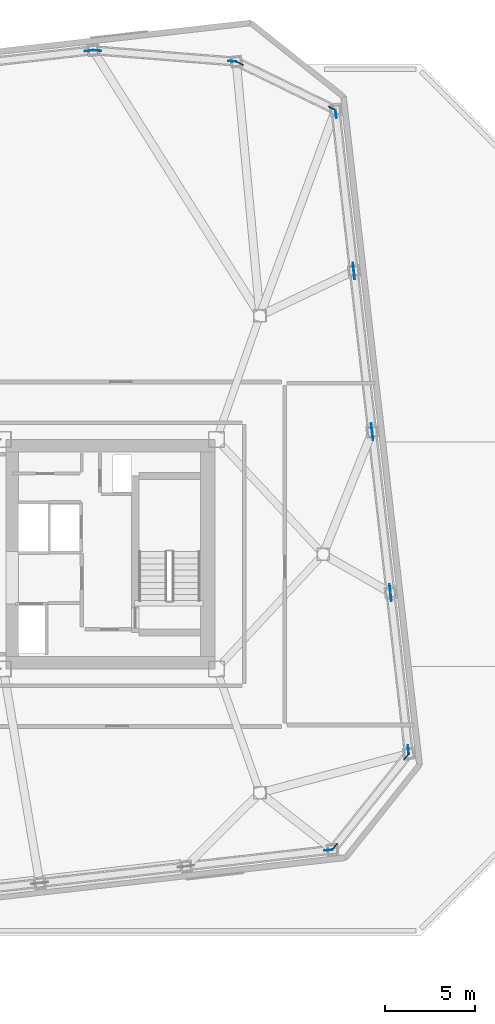
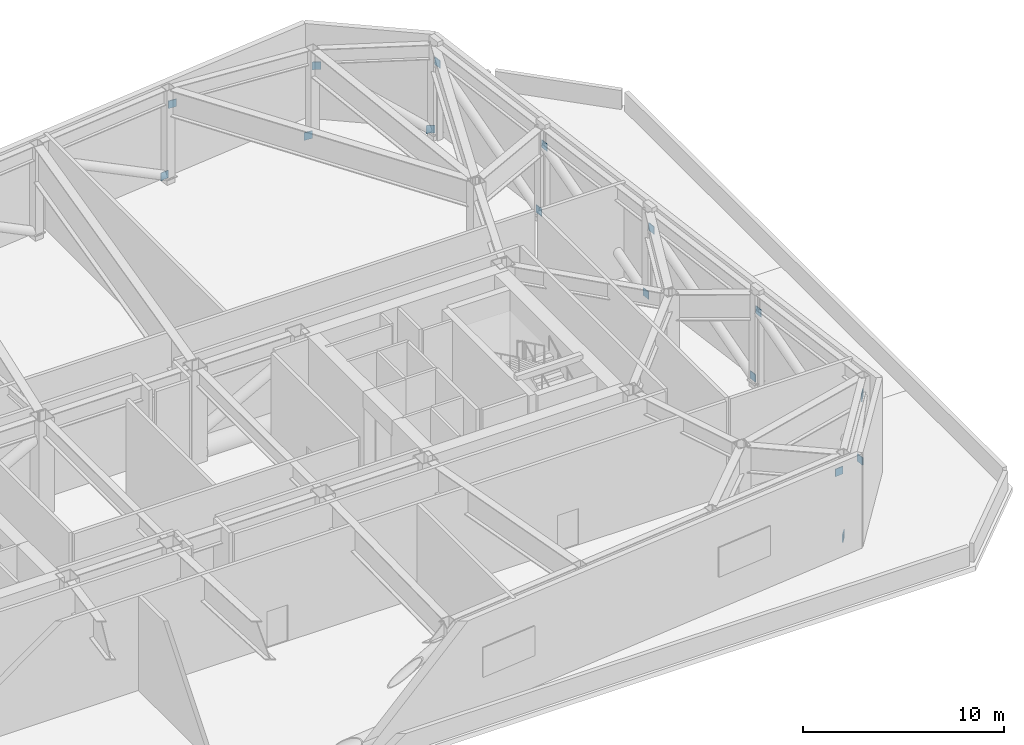
# One storey, part 12 of 13: 16 discrete accessories.
"""IFC4 building model written with IfcOpenShell, lengths in metres."""

from ifc_helpers import new_model, si_unit, direction, frame, origin, origin_2d, place, context, subcontext, project, spatial, rectangle, extrude, material, type_object, element, save


model = new_model("IFC4")

# Units and contexts
model_context = context("Model", 3, precision=1e-05, world=origin(), true_north=direction((0.0, 1.0)))
body_context = subcontext(model_context, "Body", "Model", "MODEL_VIEW")
ifc_project = project(units=[si_unit("LENGTHUNIT", "METRE"), si_unit("AREAUNIT", "SQUARE_METRE"), si_unit("VOLUMEUNIT", "CUBIC_METRE"), si_unit("PLANEANGLEUNIT", "RADIAN"), si_unit("MASSUNIT", "GRAM", prefix="KILO")], contexts=[model_context])

# Site, building, storey
site_placement = place(None, origin())
site = spatial("IfcSite", under=ifc_project, at=site_placement, CompositionType="ELEMENT")
building_placement = place(site_placement, origin())
building = spatial("IfcBuilding", under=site, at=building_placement, Name="Tavrogorsk Clinical Tower", CompositionType="ELEMENT")
storey_placement = place(building_placement, frame((0.0, 0.0, 208.199951171875)))
storey = spatial("IfcBuildingStorey", under=building, at=storey_placement, Name="L48", CompositionType="ELEMENT", Elevation=208.199951171875)

# Discrete accessories
ifc_material = material(Name="Structural steel S440", Category="steel")
discrete_accessory_type = type_object("IfcDiscreteAccessoryType", Name="GussetPlateBracket_25", PredefinedType="BRACKET", material=ifc_material)
for number, where, z_axis, x_axis, name in (
    (1, (28.283447265625, -16.37109375, 4.4365234375), (0.0, 0.0, 1.0), (0.993571855677, 0.113203213768, 0.0), "L48 Brace Gusset Plate EXOBELT-L48-07-B"),
    (2, (28.64306640625, -16.176513671875, 0.26123046875), (0.0, 0.0, 1.0), (0.622514636638, 0.782608156852, 0.0), "L48 Brace Gusset Plate EXOBELT-L48-08-A"),
    (3, (32.60009765625, -11.201904296875, 4.4189453125), (0.0, 0.0, 1.0), (0.622514636638, 0.782608156852, 0.0), "L48 Brace Gusset Plate EXOBELT-L48-08-B"),
    (4, (32.708251953125, -10.80322265625, 0.234619140625), (0.0, 0.0, 1.0), (-0.113203213768, 0.993571855677, 0.0), "L48 Brace Gusset Plate EXOBELT-L48-09-A"),
    (5, (31.746337890625, -2.360107421875, 4.445556640625), (0.0, 0.0, 1.0), (-0.113203213768, 0.993571855677, 0.0), "L48 Brace Gusset Plate EXOBELT-L48-09-B"),
    (6, (31.69384765625, -1.90087890625, 0.234619140625), (0.0, 0.0, 1.0), (-0.113203213768, 0.993571855677, 0.0), "L48 Brace Gusset Plate EXOBELT-L48-10-A"),
    (7, (30.73193359375, 6.542236328125, 4.445556640625), (0.0, 0.0, 1.0), (-0.113203213768, 0.993571855677, 0.0), "L48 Brace Gusset Plate EXOBELT-L48-10-B"),
    (8, (30.6796875, 7.001708984375, 0.234619140625), (0.0, 0.0, 1.0), (-0.113203213768, 0.993571855677, 0.0), "L48 Brace Gusset Plate EXOBELT-L48-11-A"),
    (9, (29.7177734375, 15.444580078125, 4.445556640625), (0.0, 0.0, 1.0), (-0.113203213768, 0.993571855677, 0.0), "L48 Brace Gusset Plate EXOBELT-L48-11-B"),
    (10, (29.665283203125, 15.904052734375, 0.234619140625), (0.0, 0.0, 1.0), (-0.113203213768, 0.993571855677, 0.0), "L48 Brace Gusset Plate EXOBELT-L48-12-A"),
    (11, (28.703369140625, 24.346923828125, 4.445556640625), (0.0, 0.0, 1.0), (-0.113203213768, 0.993571855677, 0.0), "L48 Brace Gusset Plate EXOBELT-L48-12-B"),
    (12, (28.48974609375, 24.668212890625, 0.271728515625), (0.0, 0.0, 1.0), (-0.898794046299, 0.438371146789, 0.0), "L48 Brace Gusset Plate EXOBELT-L48-13-A"),
    (13, (23.375732421875, 27.161865234375, 4.408447265625), (0.0, 0.0, 1.0), (-0.898794046299, 0.438371146789, 0.0), "L48 Brace Gusset Plate EXOBELT-L48-13-B"),
    (14, (22.963623046875, 27.271240234375, 0.245849609375), (0.0, 0.0, 1.0), (-0.996889885607, 0.078807080738, 0.0), "L48 Brace Gusset Plate EXOBELT-L48-14-A"),
    (15, (15.492919921875, 27.8623046875, 4.43408203125), (0.0, 0.0, 1.0), (-0.996889885607, 0.078807080738, 0.0), "L48 Brace Gusset Plate EXOBELT-L48-14-B"),
    (16, (15.04345703125, 27.8544921875, 0.243408203125), (0.0, 0.0, 1.0), (-0.993571855677, -0.113203213768, 0.0), "L48 Brace Gusset Plate EXOBELT-L48-15-A"),
):
    element("IfcDiscreteAccessory", number, at=place(storey_placement, frame(where, z_axis=z_axis, x_axis=x_axis)), inside=storey, type_object=discrete_accessory_type, Name=name, PredefinedType="BRACKET", context=body_context, shape_type="SweptSolid", body=[
        extrude(rectangle(XDim=0.4599609375, YDim=0.0400390625, at=origin_2d()), origin(), (0.0, 0.0, 1.0), 0.4599609375),
    ])

save(model, "model.ifc")
